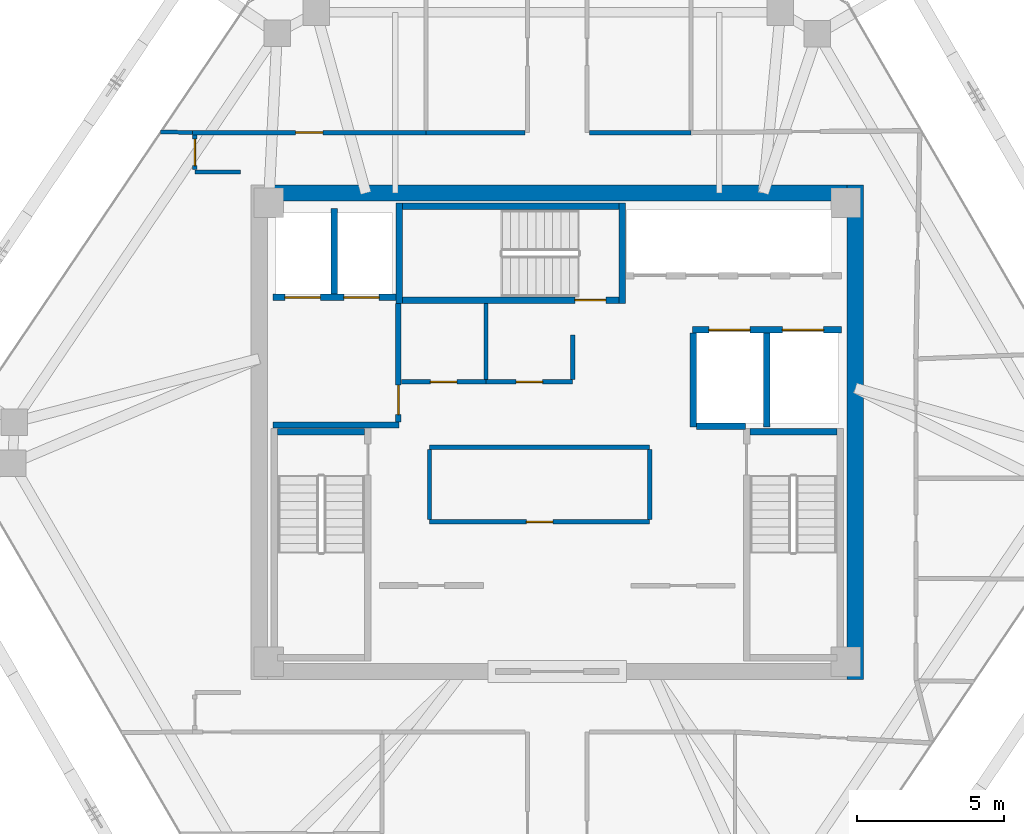
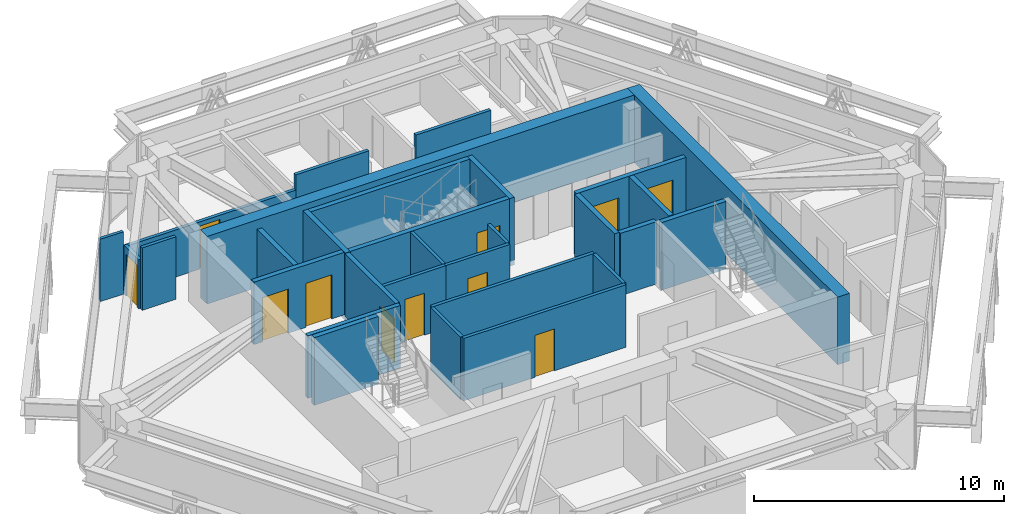
# One storey, part 10 of 13: 30 walls, 11 doors, 11 openings.
"""IFC4 building model written with IfcOpenShell, lengths in metres."""

from ifc_helpers import new_model, si_unit, direction, frame, frame_2d, origin, place, context, subcontext, project, spatial, rectangle, extrude, source, transform, mapped, material, layer, layer_set, type_object, type_shapes, element, fill, save


model = new_model("IFC4")

# Units and contexts
model_context = context("Model", 3, precision=1e-05, world=origin(), true_north=direction((0.0, 1.0)))
body_context = subcontext(model_context, "Body", "Model", "MODEL_VIEW")
ifc_project = project(units=[si_unit("LENGTHUNIT", "METRE"), si_unit("AREAUNIT", "SQUARE_METRE"), si_unit("VOLUMEUNIT", "CUBIC_METRE"), si_unit("PLANEANGLEUNIT", "RADIAN"), si_unit("MASSUNIT", "GRAM", prefix="KILO")], contexts=[model_context])

# Site, building, storey
site_placement = place(None, origin())
site = spatial("IfcSite", under=ifc_project, at=site_placement, CompositionType="ELEMENT")
building_placement = place(site_placement, origin())
building = spatial("IfcBuilding", under=site, at=building_placement, Name="Durnholm Broadcast Tower", CompositionType="ELEMENT")
storey_placement = place(building_placement, frame((0.0, 0.0, 241.39990234375)))
storey = spatial("IfcBuildingStorey", under=building, at=storey_placement, Name="L67", CompositionType="ELEMENT", Elevation=241.39990234375)

# Walls
ifc_material_1 = material(Name="Concrete C70/85", Category="concrete")
ifc_layer_1 = layer(ifc_material_1, 0.550048828125)
ifc_layer_set_1 = layer_set([ifc_layer_1], Name="Concrete C70/85")
wall_type_1 = type_object("IfcWallType", Name="WALL-CW-550", PredefinedType="SHEAR", material=ifc_layer_set_1)
wall_1_placement = place(storey_placement, frame((10.125, -8.39990234375, 0.0), z_axis=(0.0, 0.0, 1.0), x_axis=(0.0, 1.0, 0.0)))
element("IfcWall", 1, at=wall_1_placement, inside=storey, type_object=wall_type_1, Name="L67 central core shear wall CW-EAST", PredefinedType="SHEAR", context=body_context, shape_type="SweptSolid", body=[
    extrude(rectangle(XDim=16.7998046875, YDim=0.550048828125, at=frame_2d((8.39990234375, 0.0))), origin(), (0.0, 0.0, 1.0), 3.300048828125),
])
wall_2_placement = place(storey_placement, frame((-9.85009765625, 8.125, 0.0), z_axis=(0.0, 0.0, 1.0), x_axis=(1.0, 0.0, 0.0)))
element("IfcWall", 2, at=wall_2_placement, inside=storey, type_object=wall_type_1, Name="L67 central core shear wall CW-N", PredefinedType="SHEAR", context=body_context, shape_type="SweptSolid", body=[
    extrude(rectangle(XDim=19.7001953125, YDim=0.550048828125, at=frame_2d((9.85009765625, 0.0))), origin(), (0.0, 0.0, 1.0), 3.300048828125),
])
ifc_material_2 = material(Name="Fire-Rated Gypsum Shaftwall", Category="concrete")
ifc_layer_2 = layer(ifc_material_2, 0.199951171875)
ifc_layer_set_2 = layer_set([ifc_layer_2], Name="Fire-Rated Gypsum Shaftwall")
wall_type_2 = type_object("IfcWallType", Name="WALL-LOB-200", PredefinedType="SOLIDWALL", material=ifc_layer_set_2)
wall_3_placement = place(storey_placement, frame((-9.64990234375, 0.25, 0.0), z_axis=(0.0, 0.0, 1.0), x_axis=(1.0, 0.0, 0.0)))
element("IfcWall", 3, at=wall_3_placement, inside=storey, type_object=wall_type_2, Name="L67 Fire Service Access Elevator lobby south wall", PredefinedType="SOLIDWALL", context=body_context, shape_type="SweptSolid", body=[
    extrude(rectangle(XDim=4.27001953125, YDim=0.199951171875, at=frame_2d((2.135009765625, 0.0))), origin(), (0.0, 0.0, 1.0), 3.045166015625),
])

# Wall, opening, door
wall_4_placement = place(storey_placement, frame((-5.39990234375, 0.35400390625, 0.0), z_axis=(0.0, 0.0, 1.0), x_axis=(0.0, 1.0, 0.0)))
wall_4 = element("IfcWall", 4, at=wall_4_placement, inside=storey, type_object=wall_type_2, Name="L67 Fire Service Access Elevator lobby east fire wall", PredefinedType="SOLIDWALL", context=body_context, shape_type="SweptSolid", body=[
    extrude(rectangle(XDim=4.02587890625, YDim=0.199951171875, at=frame_2d((2.012939453125, 0.0))), origin(), (0.0, 0.0, 1.0), 3.045166015625),
])
opening_1_placement = place(wall_4_placement, frame((0.24609375, 0.0, 0.0)))
opening_1 = element("IfcOpeningElement", 5, at=opening_1_placement, cuts=wall_4, Name="Opening DL-60R", PredefinedType="OPENING", context=body_context, shape_type="SweptSolid", body=[
    extrude(rectangle(XDim=1.0, YDim=2.14990234375, at=frame_2d((0.5, 1.074951171875))), frame((0.0, 0.10986328125, 0.0), z_axis=(0.0, -1.0, 0.0), x_axis=(1.0, 0.0, 0.0)), (0.0, 0.0, 1.0), 0.219970703125),
])
ifc_material_3 = material(Name="Fire-Rated Timber/Steel Door", Category="steel")
ifc_layer_3 = layer(ifc_material_3, 0.050048828125)
ifc_layer_set_3 = layer_set([ifc_layer_3], Name="Fire-Rated Timber/Steel Door")
door_type_1 = type_object("IfcDoorType", Name="DOOR-LOB-FD60-R", OperationType="NOTDEFINED", PredefinedType="DOOR", material=ifc_layer_set_3)
shared_shape_1 = source(origin(), body_context, "Body", "SweptSolid", [
    extrude(rectangle(XDim=1.0, YDim=2.14990234375, at=frame_2d((0.5, 1.074951171875))), frame((0.0, 0.02490234375, 0.0), z_axis=(0.0, -1.0, 0.0), x_axis=(1.0, 0.0, 0.0)), (0.0, 0.0, 1.0), 0.050048828125),
])
type_shapes(door_type_1, [shared_shape_1])
door_1_placement = place(opening_1_placement, origin())
door_1 = element("IfcDoor", 6, at=door_1_placement, inside=storey, type_object=door_type_1, Name="L67 Fire Service Access Elevator lobby smoke door", OperationType="SINGLE_SWING_RIGHT", OverallHeight=2.14990234375, OverallWidth=1.0, PredefinedType="DOOR", context=body_context, shape_type="MappedRepresentation", body=[
    mapped(shared_shape_1, transform((0.0, 0.0, 0.0), x_axis=(1.0, 0.0, 0.0), y_axis=(0.0, 1.0, 0.0), z_axis=(0.0, 0.0, 1.0), scale=1.0)),
])
fill(opening_1, door_1)

# Walls
ifc_material_4 = material(Name="Gypsum Metal Stud Partition", Category="concrete")
ifc_layer_4 = layer(ifc_material_4, 0.135009765625)
ifc_layer_set_4 = layer_set([ifc_layer_4], Name="Gypsum Metal Stud Partition")
wall_type_3 = type_object("IfcWallType", Name="WALL-PART-135", PredefinedType="PARTITIONING", material=ifc_layer_set_4)
wall_5_placement = place(storey_placement, frame((-2.419921875, 4.375, 0.0), z_axis=(0.0, 0.0, 1.0), x_axis=(0.0, -1.0, 0.0)))
element("IfcWall", 7, at=wall_5_placement, inside=storey, type_object=wall_type_3, Name="L67 room dividing partition 4.5", PredefinedType="PARTITIONING", context=body_context, shape_type="SweptSolid", body=[
    extrude(rectangle(XDim=2.5859375, YDim=0.135009765625, at=frame_2d((1.29296875, 0.0))), origin(), (0.0, 0.0, 1.0), 3.045166015625),
])
wall_6_placement = place(storey_placement, frame((-12.389892578125, 10.181396484375, 0.0), z_axis=(0.0, 0.0, 1.0), x_axis=(-0.999812128272, 0.019383192748, 0.0)))
element("IfcWall", 8, at=wall_6_placement, inside=storey, type_object=wall_type_3, Name="L67 room dividing partition 9.19", PredefinedType="PARTITIONING", context=body_context, shape_type="SweptSolid", body=[
    extrude(rectangle(XDim=1.083251953125, YDim=0.135009765625, at=frame_2d((0.54150390625, 0.0))), origin(), (0.0, 0.0, 1.0), 3.045166015625),
])

# Wall, opening, door
ifc_material_5 = material(Name="Acoustic Gypsum Stud Partition", Category="concrete")
ifc_layer_5 = layer(ifc_material_5, 0.14990234375)
ifc_layer_set_5 = layer_set([ifc_layer_5], Name="Acoustic Gypsum Stud Partition")
wall_type_4 = type_object("IfcWallType", Name="WALL-PART-150", PredefinedType="PARTITIONING", material=ifc_layer_set_5)
wall_7_placement = place(storey_placement, frame((3.139892578125, -3.0400390625, 0.0), z_axis=(0.0, 0.0, 1.0), x_axis=(-1.0, 0.0, 0.0)))
wall_7 = element("IfcWall", 9, at=wall_7_placement, inside=storey, type_object=wall_type_4, Name="L67 Broadcast Equipment Pantry corridor partition", PredefinedType="PARTITIONING", context=body_context, shape_type="SweptSolid", body=[
    extrude(rectangle(XDim=7.47998046875, YDim=0.14990234375, at=frame_2d((3.739990234375, 0.0))), origin(), (0.0, 0.0, 1.0), 3.045166015625),
])
opening_2_placement = place(wall_7_placement, frame((3.2900390625, 0.0, 0.0)))
opening_2 = element("IfcOpeningElement", 10, at=opening_2_placement, cuts=wall_7, Name="Opening DC-60R", PredefinedType="OPENING", context=body_context, shape_type="SweptSolid", body=[
    extrude(rectangle(XDim=0.89990234375, YDim=2.050048828125, at=frame_2d((0.449951171875, 1.02490234375))), frame((0.0, 0.0849609375, 0.0), z_axis=(0.0, -1.0, 0.0), x_axis=(1.0, 0.0, 0.0)), (0.0, 0.0, 1.0), 0.169921875),
])
ifc_material_6 = material(Name="Fire-Rated Core Service Door", Category="steel")
ifc_layer_6 = layer(ifc_material_6, 0.050048828125)
ifc_layer_set_6 = layer_set([ifc_layer_6], Name="Fire-Rated Core Service Door")
door_type_2 = type_object("IfcDoorType", Name="DOOR-CORE-FD60-R", OperationType="NOTDEFINED", PredefinedType="DOOR", material=ifc_layer_set_6)
shared_shape_2 = source(origin(), body_context, "Body", "SweptSolid", [
    extrude(rectangle(XDim=0.89990234375, YDim=2.050048828125, at=frame_2d((0.449951171875, 1.02490234375))), frame((0.0, 0.02490234375, 0.0), z_axis=(0.0, -1.0, 0.0), x_axis=(1.0, 0.0, 0.0)), (0.0, 0.0, 1.0), 0.050048828125),
])
type_shapes(door_type_2, [shared_shape_2])
door_2_placement = place(opening_2_placement, origin())
door_2 = element("IfcDoor", 11, at=door_2_placement, inside=storey, type_object=door_type_2, Name="L67 Broadcast Equipment Pantry entrance door", OperationType="SINGLE_SWING_RIGHT", OverallHeight=2.050048828125, OverallWidth=0.89990234375, PredefinedType="DOOR", context=body_context, shape_type="MappedRepresentation", body=[
    mapped(shared_shape_2, transform((0.0, 0.0, 0.0), x_axis=(1.0, 0.0, 0.0), y_axis=(0.0, 1.0, 0.0), z_axis=(0.0, 0.0, 1.0), scale=1.0)),
])
fill(opening_2, door_2)

# Walls
wall_8_placement = place(storey_placement, frame((-4.340087890625, -0.510009765625, 0.0), z_axis=(0.0, 0.0, 1.0), x_axis=(1.0, 0.0, 0.0)))
element("IfcWall", 12, at=wall_8_placement, inside=storey, type_object=wall_type_4, Name="L67 Broadcast Equipment Pantry corridor partition", PredefinedType="PARTITIONING", context=body_context, shape_type="SweptSolid", body=[
    extrude(rectangle(XDim=7.47998046875, YDim=0.14990234375, at=frame_2d((3.739990234375, 0.0))), origin(), (0.0, 0.0, 1.0), 3.045166015625),
])
for number, where, z_axis, x_axis, name in (
    (13, (-4.340087890625, -2.9609375, 0.0), (0.0, 0.0, 1.0), (0.0, 1.0, 0.0), "L67 Broadcast Equipment Pantry corridor partition"),
    (14, (3.139892578125, -0.589111328125, 0.0), (0.0, 0.0, 1.0), (0.0, -1.0, 0.0), "L67 Broadcast Equipment Pantry corridor partition"),
):
    element("IfcWall", number, at=place(storey_placement, frame(where, z_axis=z_axis, x_axis=x_axis)), inside=storey, type_object=wall_type_4, Name=name, PredefinedType="PARTITIONING", context=body_context, shape_type="SweptSolid", body=[
        extrude(rectangle(XDim=2.371826171875, YDim=0.14990234375, at=frame_2d((1.18603515625, 0.0))), origin(), (0.0, 0.0, 1.0), 3.045166015625),
    ])

# Wall, opening, door
wall_9_placement = place(storey_placement, frame((-2.419921875, 1.7099609375, 0.0), z_axis=(0.0, 0.0, 1.0), x_axis=(-1.0, 0.0, 0.0)))
wall_9 = element("IfcWall", 15, at=wall_9_placement, inside=storey, type_object=wall_type_4, Name="L67 Core Equipment Store corridor partition", PredefinedType="PARTITIONING", context=body_context, shape_type="SweptSolid", body=[
    extrude(rectangle(XDim=2.8759765625, YDim=0.14990234375, at=frame_2d((1.43798828125, 0.0))), origin(), (0.0, 0.0, 1.0), 3.045166015625),
])
opening_3_placement = place(wall_9_placement, frame((0.988037109375, 0.0, 0.0)))
opening_3 = element("IfcOpeningElement", 16, at=opening_3_placement, cuts=wall_9, Name="Opening DC-60L", PredefinedType="OPENING", context=body_context, shape_type="SweptSolid", body=[
    extrude(rectangle(XDim=0.89990234375, YDim=2.050048828125, at=frame_2d((0.449951171875, 1.02490234375))), frame((0.0, 0.0849609375, 0.0), z_axis=(0.0, -1.0, 0.0), x_axis=(1.0, 0.0, 0.0)), (0.0, 0.0, 1.0), 0.169921875),
])
ifc_layer_7 = layer(ifc_material_6, 0.050048828125)
ifc_layer_set_7 = layer_set([ifc_layer_7], Name="Fire-Rated Core Service Door")
door_type_3 = type_object("IfcDoorType", Name="DOOR-CORE-FD60-L", OperationType="NOTDEFINED", PredefinedType="DOOR", material=ifc_layer_set_7)
shared_shape_3 = source(origin(), body_context, "Body", "SweptSolid", [
    extrude(rectangle(XDim=0.89990234375, YDim=2.050048828125, at=frame_2d((0.449951171875, 1.02490234375))), frame((0.0, 0.02490234375, 0.0), z_axis=(0.0, -1.0, 0.0), x_axis=(1.0, 0.0, 0.0)), (0.0, 0.0, 1.0), 0.050048828125),
])
type_shapes(door_type_3, [shared_shape_3])
door_3_placement = place(opening_3_placement, origin())
door_3 = element("IfcDoor", 17, at=door_3_placement, inside=storey, type_object=door_type_3, Name="L67 Core Equipment Store entrance door", OperationType="SINGLE_SWING_LEFT", OverallHeight=2.050048828125, OverallWidth=0.89990234375, PredefinedType="DOOR", context=body_context, shape_type="MappedRepresentation", body=[
    mapped(shared_shape_3, transform((0.0, 0.0, 0.0), x_axis=(1.0, 0.0, 0.0), y_axis=(0.0, 1.0, 0.0), z_axis=(0.0, 0.0, 1.0), scale=1.0)),
])
fill(opening_3, door_3)

wall_10_placement = place(storey_placement, frame((0.52001953125, 1.7099609375, 0.0), z_axis=(0.0, 0.0, 1.0), x_axis=(-1.0, 0.0, 0.0)))
wall_10 = element("IfcWall", 18, at=wall_10_placement, inside=storey, type_object=wall_type_4, Name="L67 Core Mail and Supply Room corridor partition", PredefinedType="PARTITIONING", context=body_context, shape_type="SweptSolid", body=[
    extrude(rectangle(XDim=2.93994140625, YDim=0.14990234375, at=frame_2d((1.469970703125, 0.0))), origin(), (0.0, 0.0, 1.0), 3.045166015625),
])
opening_4_placement = place(wall_10_placement, frame((1.02001953125, 0.0, 0.0)))
opening_4 = element("IfcOpeningElement", 19, at=opening_4_placement, cuts=wall_10, Name="Opening DC-60R", PredefinedType="OPENING", context=body_context, shape_type="SweptSolid", body=[
    extrude(rectangle(XDim=0.89990234375, YDim=2.050048828125, at=frame_2d((0.449951171875, 1.02490234375))), frame((0.0, 0.0849609375, 0.0), z_axis=(0.0, -1.0, 0.0), x_axis=(1.0, 0.0, 0.0)), (0.0, 0.0, 1.0), 0.169921875),
])
door_4_placement = place(opening_4_placement, origin())
door_4 = element("IfcDoor", 20, at=door_4_placement, inside=storey, type_object=door_type_2, Name="L67 Core Mail and Supply Room entrance door", OperationType="SINGLE_SWING_RIGHT", OverallHeight=2.050048828125, OverallWidth=0.89990234375, PredefinedType="DOOR", context=body_context, shape_type="MappedRepresentation", body=[
    mapped(shared_shape_2, transform((0.0, 0.0, 0.0), x_axis=(1.0, 0.0, 0.0), y_axis=(0.0, 1.0, 0.0), z_axis=(0.0, 0.0, 1.0), scale=1.0)),
])
fill(opening_4, door_4)

# Wall
wall_11_placement = place(storey_placement, frame((0.52001953125, 3.300048828125, 0.0), z_axis=(0.0, 0.0, 1.0), x_axis=(0.0, -1.0, 0.0)))
element("IfcWall", 21, at=wall_11_placement, inside=storey, type_object=wall_type_4, Name="L67 Core Mail and Supply Room corridor partition", PredefinedType="PARTITIONING", context=body_context, shape_type="SweptSolid", body=[
    extrude(rectangle(XDim=1.510986328125, YDim=0.14990234375, at=frame_2d((0.75537109375, 0.0))), origin(), (0.0, 0.0, 1.0), 3.045166015625),
])

# Wall, opening, door
wall_12_placement = place(storey_placement, frame((-4.4599609375, 10.179931640625, 0.0), z_axis=(0.0, 0.0, 1.0), x_axis=(-1.0, 0.0, 0.0)))
wall_12 = element("IfcWall", 22, at=wall_12_placement, inside=storey, type_object=wall_type_4, Name="L67 Open Plan Broadcast Workspace 2 corridor partition", PredefinedType="PARTITIONING", context=body_context, shape_type="SweptSolid", body=[
    extrude(rectangle(XDim=7.929931640625, YDim=0.14990234375, at=frame_2d((3.96484375, 0.0))), origin(), (0.0, 0.0, 1.0), 2.301513671875),
])
opening_5_placement = place(wall_12_placement, frame((3.5048828125, 0.0, 0.0)))
opening_5 = element("IfcOpeningElement", 23, at=opening_5_placement, cuts=wall_12, Name="Opening DR-92R", PredefinedType="OPENING", context=body_context, shape_type="SweptSolid", body=[
    extrude(rectangle(XDim=0.919921875, YDim=2.10009765625, at=frame_2d((0.4599609375, 1.050048828125))), frame((0.0, 0.0849609375, 0.0), z_axis=(0.0, -1.0, 0.0), x_axis=(1.0, 0.0, 0.0)), (0.0, 0.0, 1.0), 0.169921875),
])
ifc_material_7 = material(Name="Oak Veneer Office Door", Category="wood")
ifc_layer_8 = layer(ifc_material_7, 0.050048828125)
ifc_layer_set_8 = layer_set([ifc_layer_8], Name="Oak Veneer Office Door")
door_type_4 = type_object("IfcDoorType", Name="DOOR-RM-920R", OperationType="NOTDEFINED", PredefinedType="DOOR", material=ifc_layer_set_8)
shared_shape_4 = source(origin(), body_context, "Body", "SweptSolid", [
    extrude(rectangle(XDim=0.919921875, YDim=2.10009765625, at=frame_2d((0.4599609375, 1.050048828125))), frame((0.0, 0.02490234375, 0.0), z_axis=(0.0, -1.0, 0.0), x_axis=(1.0, 0.0, 0.0)), (0.0, 0.0, 1.0), 0.050048828125),
])
type_shapes(door_type_4, [shared_shape_4])
door_5_placement = place(opening_5_placement, origin())
door_5 = element("IfcDoor", 24, at=door_5_placement, inside=storey, type_object=door_type_4, Name="L67 Open Plan Broadcast Workspace 2 entrance door", OperationType="SINGLE_SWING_RIGHT", OverallHeight=2.10009765625, OverallWidth=0.919921875, PredefinedType="DOOR", context=body_context, shape_type="MappedRepresentation", body=[
    mapped(shared_shape_4, transform((0.0, 0.0, 0.0), x_axis=(1.0, 0.0, 0.0), y_axis=(0.0, 1.0, 0.0), z_axis=(0.0, 0.0, 1.0), scale=1.0)),
])
fill(opening_5, door_5)

# Walls
wall_13_placement = place(storey_placement, frame((-1.089111328125, 10.179931640625, 0.0), z_axis=(0.0, 0.0, 1.0), x_axis=(-1.0, 0.0, 0.0)))
element("IfcWall", 25, at=wall_13_placement, inside=storey, type_object=wall_type_4, Name="L67 Global Bureaus Meeting Room corridor partition", PredefinedType="PARTITIONING", context=body_context, shape_type="SweptSolid", body=[
    extrude(rectangle(XDim=3.370849609375, YDim=0.14990234375, at=frame_2d((1.685546875, 0.0))), origin(), (0.0, 0.0, 1.0), 3.045166015625),
])
wall_14_placement = place(storey_placement, frame((4.5400390625, 10.179931640625, 0.0), z_axis=(0.0, 0.0, 1.0), x_axis=(-1.0, 0.0, 0.0)))
element("IfcWall", 26, at=wall_14_placement, inside=storey, type_object=wall_type_4, Name="L67 Protocol Lounge corridor partition", PredefinedType="PARTITIONING", context=body_context, shape_type="SweptSolid", body=[
    extrude(rectangle(XDim=3.450927734375, YDim=0.14990234375, at=frame_2d((1.7255859375, 0.0))), origin(), (0.0, 0.0, 1.0), 3.045166015625),
])
wall_15_placement = place(storey_placement, frame((-12.31005859375, 8.840087890625, 0.0), z_axis=(0.0, 0.0, 1.0), x_axis=(1.0, 0.0, 0.0)))
element("IfcWall", 27, at=wall_15_placement, inside=storey, type_object=wall_type_4, Name="L67 Pantry Kitchen corridor partition", PredefinedType="PARTITIONING", context=body_context, shape_type="SweptSolid", body=[
    extrude(rectangle(XDim=1.550048828125, YDim=0.14990234375, at=frame_2d((0.77490234375, 0.0))), origin(), (0.0, 0.0, 1.0), 3.045166015625),
])

# Wall, opening, door
wall_16_placement = place(storey_placement, frame((-12.31005859375, 10.10107421875, 0.0), z_axis=(0.0, 0.0, 1.0), x_axis=(0.0, -1.0, 0.0)))
wall_16 = element("IfcWall", 28, at=wall_16_placement, inside=storey, type_object=wall_type_4, Name="L67 Pantry Kitchen corridor partition", PredefinedType="PARTITIONING", context=body_context, shape_type="SweptSolid", body=[
    extrude(rectangle(XDim=1.18212890625, YDim=0.14990234375, at=frame_2d((0.591064453125, 0.0))), origin(), (0.0, 0.0, 1.0), 2.39892578125),
])
opening_6_placement = place(wall_16_placement, frame((0.14111328125, 0.0, 0.0)))
opening_6 = element("IfcOpeningElement", 29, at=opening_6_placement, cuts=wall_16, Name="Opening DW-90L", PredefinedType="OPENING", context=body_context, shape_type="SweptSolid", body=[
    extrude(rectangle(XDim=0.89990234375, YDim=2.050048828125, at=frame_2d((0.449951171875, 1.02490234375))), frame((0.0, 0.0849609375, 0.0), z_axis=(0.0, -1.0, 0.0), x_axis=(1.0, 0.0, 0.0)), (0.0, 0.0, 1.0), 0.169921875),
])
ifc_material_8 = material(Name="Laminate Restroom Door", Category="steel")
ifc_layer_9 = layer(ifc_material_8, 0.050048828125)
ifc_layer_set_9 = layer_set([ifc_layer_9], Name="Laminate Restroom Door")
door_type_5 = type_object("IfcDoorType", Name="DOOR-WC-900L", OperationType="NOTDEFINED", PredefinedType="DOOR", material=ifc_layer_set_9)
shared_shape_5 = source(origin(), body_context, "Body", "SweptSolid", [
    extrude(rectangle(XDim=0.89990234375, YDim=2.050048828125, at=frame_2d((0.449951171875, 1.02490234375))), frame((0.0, 0.02490234375, 0.0), z_axis=(0.0, -1.0, 0.0), x_axis=(1.0, 0.0, 0.0)), (0.0, 0.0, 1.0), 0.050048828125),
])
type_shapes(door_type_5, [shared_shape_5])
door_6_placement = place(opening_6_placement, origin())
door_6 = element("IfcDoor", 30, at=door_6_placement, inside=storey, type_object=door_type_5, Name="L67 Pantry Kitchen entrance door", OperationType="SINGLE_SWING_LEFT", OverallHeight=2.050048828125, OverallWidth=0.89990234375, PredefinedType="DOOR", context=body_context, shape_type="MappedRepresentation", body=[
    mapped(shared_shape_5, transform((0.0, 0.0, 0.0), x_axis=(1.0, 0.0, 0.0), y_axis=(0.0, 1.0, 0.0), z_axis=(0.0, 0.0, 1.0), scale=1.0)),
])
fill(opening_6, door_6)

# Wall, openings, doors
ifc_material_9 = material(Name="Concrete Blockwork C30/37", Category="masonry")
ifc_layer_10 = layer(ifc_material_9, 0.219970703125)
ifc_layer_set_10 = layer_set([ifc_layer_10], Name="Concrete Blockwork C30/37")
wall_type_5 = type_object("IfcWallType", Name="WALL-SHAFT-220", PredefinedType="SOLIDWALL", material=ifc_layer_set_10)
wall_17_placement = place(storey_placement, frame((-9.64990234375, 4.580078125, 0.0), z_axis=(0.0, 0.0, 1.0), x_axis=(1.0, 0.0, 0.0)))
wall_17 = element("IfcWall", 31, at=wall_17_placement, inside=storey, type_object=wall_type_5, Name="L67 FSAE hoistway front fire wall", PredefinedType="SOLIDWALL", context=body_context, shape_type="SweptSolid", body=[
    extrude(rectangle(XDim=4.1748046875, YDim=0.219970703125, at=frame_2d((2.08740234375, 0.0))), origin(), (0.0, 0.0, 1.0), 3.045166015625),
])
opening_7_placement = place(wall_17_placement, frame((0.39990234375, 0.0, 0.0)))
opening_7 = element("IfcOpeningElement", 32, at=opening_7_placement, cuts=wall_17, Name="Opening LD-FSAE-2", PredefinedType="OPENING", context=body_context, shape_type="SweptSolid", body=[
    extrude(rectangle(XDim=1.199951171875, YDim=2.14990234375, at=frame_2d((0.60009765625, 1.074951171875))), frame((0.0, 0.1201171875, 0.0), z_axis=(0.0, -1.0, 0.0), x_axis=(1.0, 0.0, 0.0)), (0.0, 0.0, 1.0), 0.239990234375),
])
opening_8_placement = place(wall_17_placement, frame((2.39990234375, 0.0, 0.0)))
opening_8 = element("IfcOpeningElement", 33, at=opening_8_placement, cuts=wall_17, Name="Opening LD-FSAE-1", PredefinedType="OPENING", context=body_context, shape_type="SweptSolid", body=[
    extrude(rectangle(XDim=1.199951171875, YDim=2.14990234375, at=frame_2d((0.60009765625, 1.074951171875))), frame((0.0, 0.1201171875, 0.0), z_axis=(0.0, -1.0, 0.0), x_axis=(1.0, 0.0, 0.0)), (0.0, 0.0, 1.0), 0.239990234375),
])
ifc_material_10 = material(Name="Fire Service Access Sliding Landing Door", Category="steel")
ifc_layer_11 = layer(ifc_material_10, 0.050048828125)
ifc_layer_set_11 = layer_set([ifc_layer_11], Name="Fire Service Access Sliding Landing Door")
door_type_6 = type_object("IfcDoorType", Name="DOOR-LIFT-FSAE", OperationType="DOUBLE_DOOR_SLIDING", PredefinedType="DOOR", material=ifc_layer_set_11)
shared_shape_6 = source(origin(), body_context, "Body", "SweptSolid", [
    extrude(rectangle(XDim=1.199951171875, YDim=2.14990234375, at=frame_2d((0.60009765625, 1.074951171875))), frame((0.0, 0.02490234375, 0.0), z_axis=(0.0, -1.0, 0.0), x_axis=(1.0, 0.0, 0.0)), (0.0, 0.0, 1.0), 0.050048828125),
])
type_shapes(door_type_6, [shared_shape_6])
door_7_placement = place(opening_7_placement, origin())
door_7 = element("IfcDoor", 34, at=door_7_placement, inside=storey, type_object=door_type_6, Name="L67 Fire Service Access Elevator FSAE-2 sliding landing door", OperationType="DOUBLE_DOOR_SLIDING", OverallHeight=2.14990234375, OverallWidth=1.199951171875, PredefinedType="DOOR", context=body_context, shape_type="MappedRepresentation", body=[
    mapped(shared_shape_6, transform((0.0, 0.0, 0.0), x_axis=(1.0, 0.0, 0.0), y_axis=(0.0, 1.0, 0.0), z_axis=(0.0, 0.0, 1.0), scale=1.0)),
])
fill(opening_7, door_7)
door_8_placement = place(opening_8_placement, origin())
door_8 = element("IfcDoor", 35, at=door_8_placement, inside=storey, type_object=door_type_6, Name="L67 Fire Service Access Elevator FSAE-1 sliding landing door", OperationType="DOUBLE_DOOR_SLIDING", OverallHeight=2.14990234375, OverallWidth=1.199951171875, PredefinedType="DOOR", context=body_context, shape_type="MappedRepresentation", body=[
    mapped(shared_shape_6, transform((0.0, 0.0, 0.0), x_axis=(1.0, 0.0, 0.0), y_axis=(0.0, 1.0, 0.0), z_axis=(0.0, 0.0, 1.0), scale=1.0)),
])
fill(opening_8, door_8)

# Wall
wall_18_placement = place(storey_placement, frame((-7.580078125, 4.694091796875, 0.0), z_axis=(0.0, 0.0, 1.0), x_axis=(0.0, 1.0, 0.0)))
element("IfcWall", 36, at=wall_18_placement, inside=storey, type_object=wall_type_5, Name="L67 FSAE shaft divider wall", PredefinedType="SOLIDWALL", context=body_context, shape_type="SweptSolid", body=[
    extrude(rectangle(XDim=2.906005859375, YDim=0.219970703125, at=frame_2d((1.453125, 0.0))), origin(), (0.0, 0.0, 1.0), 3.045166015625),
])

# Wall, openings, doors
wall_19_placement = place(storey_placement, frame((4.60009765625, 3.47998046875, 0.0), z_axis=(0.0, 0.0, 1.0), x_axis=(1.0, 0.0, 0.0)))
wall_19 = element("IfcWall", 37, at=wall_19_placement, inside=storey, type_object=wall_type_5, Name="L67 freight service lifts north front wall", PredefinedType="SOLIDWALL", context=body_context, shape_type="SweptSolid", body=[
    extrude(rectangle(XDim=5.0498046875, YDim=0.219970703125, at=frame_2d((2.52490234375, 0.0))), origin(), (0.0, 0.0, 1.0), 3.045166015625),
])
opening_9_placement = place(wall_19_placement, frame((0.550048828125, 0.0, 0.0)))
opening_9 = element("IfcOpeningElement", 38, at=opening_9_placement, cuts=wall_19, Name="Opening LD-SVL-2", PredefinedType="OPENING", context=body_context, shape_type="SweptSolid", body=[
    extrude(rectangle(XDim=1.39990234375, YDim=2.14990234375, at=frame_2d((0.699951171875, 1.074951171875))), frame((0.0, 0.1201171875, 0.0), z_axis=(0.0, -1.0, 0.0), x_axis=(1.0, 0.0, 0.0)), (0.0, 0.0, 1.0), 0.239990234375),
])
opening_10_placement = place(wall_19_placement, frame((3.050048828125, 0.0, 0.0)))
opening_10 = element("IfcOpeningElement", 39, at=opening_10_placement, cuts=wall_19, Name="Opening LD-SVL-1", PredefinedType="OPENING", context=body_context, shape_type="SweptSolid", body=[
    extrude(rectangle(XDim=1.39990234375, YDim=2.14990234375, at=frame_2d((0.699951171875, 1.074951171875))), frame((0.0, 0.1201171875, 0.0), z_axis=(0.0, -1.0, 0.0), x_axis=(1.0, 0.0, 0.0)), (0.0, 0.0, 1.0), 0.239990234375),
])
ifc_material_11 = material(Name="Freight Elevator Bi-Parting Sliding Landing Door", Category="steel")
ifc_layer_12 = layer(ifc_material_11, 0.050048828125)
ifc_layer_set_12 = layer_set([ifc_layer_12], Name="Freight Elevator Bi-Parting Sliding Landing Door")
door_type_7 = type_object("IfcDoorType", Name="DOOR-LIFT-SVL", OperationType="DOUBLE_DOOR_SLIDING", PredefinedType="DOOR", material=ifc_layer_set_12)
shared_shape_7 = source(origin(), body_context, "Body", "SweptSolid", [
    extrude(rectangle(XDim=1.39990234375, YDim=2.14990234375, at=frame_2d((0.699951171875, 1.074951171875))), frame((0.0, 0.02490234375, 0.0), z_axis=(0.0, -1.0, 0.0), x_axis=(1.0, 0.0, 0.0)), (0.0, 0.0, 1.0), 0.050048828125),
])
type_shapes(door_type_7, [shared_shape_7])
door_9_placement = place(opening_9_placement, origin())
door_9 = element("IfcDoor", 40, at=door_9_placement, inside=storey, type_object=door_type_7, Name="L67 freight service elevator SVL-2 sliding landing door", OperationType="DOUBLE_DOOR_SLIDING", OverallHeight=2.14990234375, OverallWidth=1.39990234375, PredefinedType="DOOR", context=body_context, shape_type="MappedRepresentation", body=[
    mapped(shared_shape_7, transform((0.0, 0.0, 0.0), x_axis=(1.0, 0.0, 0.0), y_axis=(0.0, 1.0, 0.0), z_axis=(0.0, 0.0, 1.0), scale=1.0)),
])
fill(opening_9, door_9)
door_10_placement = place(opening_10_placement, origin())
door_10 = element("IfcDoor", 41, at=door_10_placement, inside=storey, type_object=door_type_7, Name="L67 freight service elevator SVL-1 sliding landing door", OperationType="DOUBLE_DOOR_SLIDING", OverallHeight=2.14990234375, OverallWidth=1.39990234375, PredefinedType="DOOR", context=body_context, shape_type="MappedRepresentation", body=[
    mapped(shared_shape_7, transform((0.0, 0.0, 0.0), x_axis=(1.0, 0.0, 0.0), y_axis=(0.0, 1.0, 0.0), z_axis=(0.0, 0.0, 1.0), scale=1.0)),
])
fill(opening_10, door_10)

# Walls
for number, where, z_axis, x_axis, name in (
    (42, (4.6201171875, 0.179931640625, 0.0), (0.0, 0.0, 1.0), (0.0, 1.0, 0.0), "L67 freight service lift SVL-2 west wall"),
    (43, (7.1201171875, 0.179931640625, 0.0), (0.0, 0.0, 1.0), (0.0, 1.0, 0.0), "L67 freight service lifts divider wall"),
):
    element("IfcWall", number, at=place(storey_placement, frame(where, z_axis=z_axis, x_axis=x_axis)), inside=storey, type_object=wall_type_5, Name=name, PredefinedType="SOLIDWALL", context=body_context, shape_type="SweptSolid", body=[
        extrude(rectangle(XDim=3.18603515625, YDim=0.219970703125, at=frame_2d((1.593017578125, 0.0))), origin(), (0.0, 0.0, 1.0), 3.045166015625),
    ])
wall_20_placement = place(storey_placement, frame((4.73388671875, 0.199951171875, 0.0), z_axis=(0.0, 0.0, 1.0), x_axis=(1.0, 0.0, 0.0)))
element("IfcWall", 44, at=wall_20_placement, inside=storey, type_object=wall_type_5, Name="L67 freight service lift SVL-2 south wall", PredefinedType="SOLIDWALL", context=body_context, shape_type="SweptSolid", body=[
    extrude(rectangle(XDim=1.666015625, YDim=0.219970703125, at=frame_2d((0.8330078125, 0.0))), origin(), (0.0, 0.0, 1.0), 3.045166015625),
])
ifc_material_12 = material(Name="Concrete C50/60", Category="concrete")
ifc_layer_13 = layer(ifc_material_12, 0.219970703125)
ifc_layer_set_13 = layer_set([ifc_layer_13], Name="Concrete C50/60")
wall_type_6 = type_object("IfcWallType", Name="WALL-SW-220", PredefinedType="SHEAR", material=ifc_layer_set_13)
for number, where, z_axis, x_axis, name in (
    (45, (-6.5400390625, 0.010009765625, -0.239990234375), (0.0, 0.0, 1.0), (-1.0, 0.0, 0.0), "L67 stair ST-1 structural shaft wall N"),
    (46, (9.5, 0.010009765625, -0.239990234375), (0.0, 0.0, 1.0), (-1.0, 0.0, 0.0), "L67 stair ST-2 structural shaft wall N"),
):
    element("IfcWall", number, at=place(storey_placement, frame(where, z_axis=z_axis, x_axis=x_axis)), inside=storey, type_object=wall_type_6, Name=name, PredefinedType="SHEAR", context=body_context, shape_type="SweptSolid", body=[
        extrude(rectangle(XDim=2.9599609375, YDim=0.219970703125, at=frame_2d((1.47998046875, 0.0))), origin(), (0.0, 0.0, 1.0), 3.300048828125),
    ])
for number, where, z_axis, x_axis, name in (
    (47, (2.2099609375, 4.3798828125, -0.239990234375), (0.0, 0.0, 1.0), (0.0, 1.0, 0.0), "L67 stair ST-3 structural shaft wall E"),
    (48, (-5.360107421875, 7.780029296875, -0.239990234375), (0.0, 0.0, 1.0), (0.0, -1.0, 0.0), "L67 stair ST-3 structural shaft wall W"),
):
    element("IfcWall", number, at=place(storey_placement, frame(where, z_axis=z_axis, x_axis=x_axis)), inside=storey, type_object=wall_type_6, Name=name, PredefinedType="SHEAR", context=body_context, shape_type="SweptSolid", body=[
        extrude(rectangle(XDim=3.400146484375, YDim=0.219970703125, at=frame_2d((1.7001953125, 0.0))), origin(), (0.0, 0.0, 1.0), 3.300048828125),
    ])

# Wall, opening, door
wall_21_placement = place(storey_placement, frame((-5.25, 4.489990234375, -0.239990234375), z_axis=(0.0, 0.0, 1.0), x_axis=(1.0, 0.0, 0.0)))
wall_21 = element("IfcWall", 49, at=wall_21_placement, inside=storey, type_object=wall_type_6, Name="L67 stair ST-3 structural shaft wall S", PredefinedType="SHEAR", context=body_context, shape_type="SweptSolid", body=[
    extrude(rectangle(XDim=7.35009765625, YDim=0.219970703125, at=frame_2d((3.675048828125, 0.0))), origin(), (0.0, 0.0, 1.0), 3.300048828125),
])
opening_11_placement = place(wall_21_placement, frame((5.85009765625, 0.0, 0.0)))
opening_11 = element("IfcOpeningElement", 50, at=opening_11_placement, cuts=wall_21, Name="Opening DS-90L", PredefinedType="OPENING", context=body_context, shape_type="SweptSolid", body=[
    extrude(rectangle(XDim=1.050048828125, YDim=2.14990234375, at=frame_2d((0.52490234375, 1.074951171875))), frame((0.0, 0.1201171875, 0.0), z_axis=(0.0, -1.0, 0.0), x_axis=(1.0, 0.0, 0.0)), (0.0, 0.0, 1.0), 0.239990234375),
])
ifc_material_13 = material(Name="Fire-Rated Steel Door", Category="steel")
ifc_layer_14 = layer(ifc_material_13, 0.050048828125)
ifc_layer_set_14 = layer_set([ifc_layer_14], Name="Fire-Rated Steel Door")
door_type_8 = type_object("IfcDoorType", Name="DOOR-ST-FD90-L", OperationType="NOTDEFINED", PredefinedType="DOOR", material=ifc_layer_set_14)
shared_shape_8 = source(origin(), body_context, "Body", "SweptSolid", [
    extrude(rectangle(XDim=1.050048828125, YDim=2.14990234375, at=frame_2d((0.52490234375, 1.074951171875))), frame((0.0, 0.02490234375, 0.0), z_axis=(0.0, -1.0, 0.0), x_axis=(1.0, 0.0, 0.0)), (0.0, 0.0, 1.0), 0.050048828125),
])
type_shapes(door_type_8, [shared_shape_8])
door_11_placement = place(opening_11_placement, origin())
door_11 = element("IfcDoor", 51, at=door_11_placement, inside=storey, type_object=door_type_8, Name="L67 exit stair ST-3 fire door", OperationType="SINGLE_SWING_LEFT", OverallHeight=2.14990234375, OverallWidth=1.050048828125, PredefinedType="DOOR", context=body_context, shape_type="MappedRepresentation", body=[
    mapped(shared_shape_8, transform((0.0, 0.0, 0.0), x_axis=(1.0, 0.0, 0.0), y_axis=(0.0, 1.0, 0.0), z_axis=(0.0, 0.0, 1.0), scale=1.0)),
])
fill(opening_11, door_11)

# Wall
wall_22_placement = place(storey_placement, frame((2.10009765625, 7.669921875, -0.239990234375), z_axis=(0.0, 0.0, 1.0), x_axis=(-1.0, 0.0, 0.0)))
element("IfcWall", 52, at=wall_22_placement, inside=storey, type_object=wall_type_6, Name="L67 stair ST-3 structural shaft wall N", PredefinedType="SHEAR", context=body_context, shape_type="SweptSolid", body=[
    extrude(rectangle(XDim=7.35009765625, YDim=0.219970703125, at=frame_2d((3.675048828125, 0.0))), origin(), (0.0, 0.0, 1.0), 3.300048828125),
])

save(model, "model.ifc")
